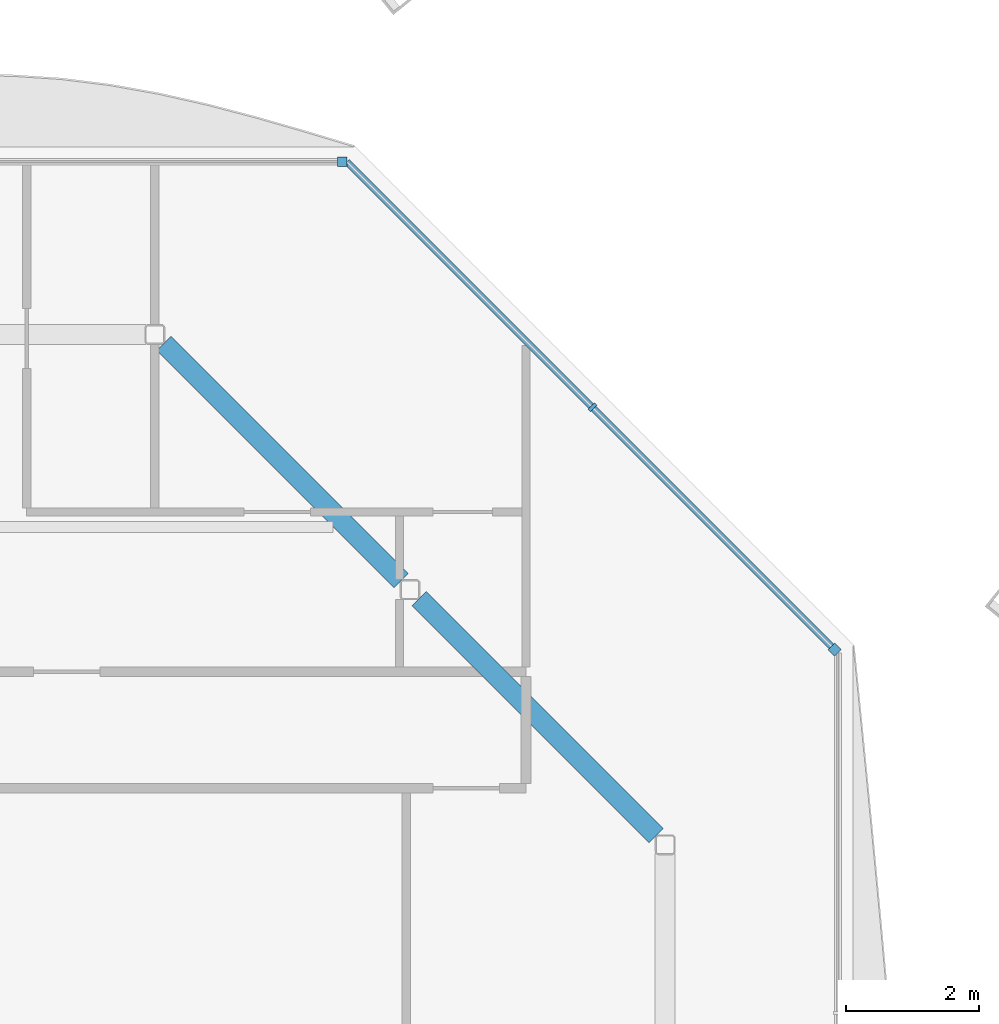
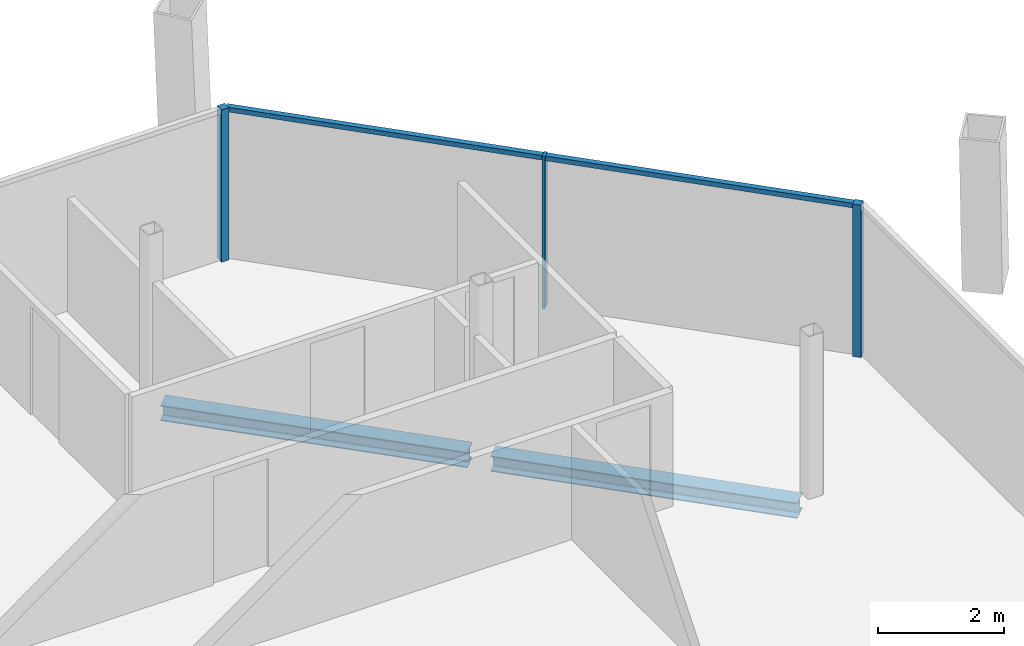
# One storey, part 10 of 18: 5 members, 2 beams, 2 elements without a shape of their own.
"""IFC4 building model written with IfcOpenShell, lengths in metres."""

from ifc_helpers import new_model, si_unit, direction, frame, origin, origin_2d, place, context, subcontext, project, spatial, rectangle, i_section, extrude, material, material_profile, profile_set, type_object, element, aggregate, save


model = new_model("IFC4")

# Units and contexts
model_context = context("Model", 3, precision=1e-05, world=origin(), true_north=direction((0.0, 1.0)))
body_context = subcontext(model_context, "Body", "Model", "MODEL_VIEW")
ifc_project = project(units=[si_unit("LENGTHUNIT", "METRE"), si_unit("AREAUNIT", "SQUARE_METRE"), si_unit("VOLUMEUNIT", "CUBIC_METRE"), si_unit("PLANEANGLEUNIT", "RADIAN"), si_unit("MASSUNIT", "GRAM", prefix="KILO")], contexts=[model_context])

# Site, building, storey
site_placement = place(None, origin())
site = spatial("IfcSite", under=ifc_project, at=site_placement, CompositionType="ELEMENT")
building_placement = place(site_placement, origin())
building = spatial("IfcBuilding", under=site, at=building_placement, Name="Tskaro Facet Tower", CompositionType="ELEMENT")
storey_placement = place(building_placement, frame((0.0, 0.0, 223.5)))
storey = spatial("IfcBuildingStorey", under=building, at=storey_placement, Name="L57", CompositionType="ELEMENT", Elevation=223.5)

# Curtain wall, member
ifc_material_1 = material(Name="Bronze anodised aluminium 6063-T6", Category="aluminium")
curtain_wall_type = type_object("IfcCurtainWallType", Name="Bronze residence curtain wall (FW3)", PredefinedType="NOTDEFINED", material=ifc_material_1)
curtain_wall_1_placement = place(storey_placement, origin())
curtain_wall_1 = element("IfcCurtainWall", 1, at=curtain_wall_1_placement, inside=storey, type_object=curtain_wall_type, Name="FW3 north-east facet L57", PredefinedType="NOTDEFINED")
ifc_material_profile_1 = material_profile(ifc_material_1, rectangle(XDim=0.139892578125, YDim=0.139892578125, at=origin_2d()), Name="Corner post 140x140")
ifc_profile_set_1 = profile_set([ifc_material_profile_1], Name="Bronze anodised aluminium 6063-T6")
member_type_1 = type_object("IfcMemberType", Name="FW3 bronze corner post 140x140", PredefinedType="MULLION", material=ifc_profile_set_1)
member_1_placement = place(storey_placement, frame((15.935546875, 11.658447265625, 0.0), z_axis=(0.0, 0.0, 1.0), x_axis=(-0.707106781187, 0.707106781187, 0.0)))
member_1 = element("IfcMember", 2, at=member_1_placement, type_object=member_type_1, Name="FW3 north-east corner post", PredefinedType="MULLION", context=body_context, shape_type="SweptSolid", body=[
    extrude(rectangle(XDim=0.139892578125, YDim=0.139892578125, at=origin_2d()), origin(), (0.0, 0.0, 1.0), 2.949951171875),
])

curtain_wall_2_placement = place(storey_placement, origin())
curtain_wall_2 = element("IfcCurtainWall", 3, at=curtain_wall_2_placement, inside=storey, type_object=curtain_wall_type, Name="FW3 north facet L57", PredefinedType="NOTDEFINED")
member_2_placement = place(storey_placement, frame((8.5390625, 18.985107421875, 0.0), z_axis=(0.0, 0.0, 1.0), x_axis=(-1.0, 0.0, 0.0)))
member_2 = element("IfcMember", 4, at=member_2_placement, type_object=member_type_1, Name="FW3 north corner post", PredefinedType="MULLION", context=body_context, shape_type="SweptSolid", body=[
    extrude(rectangle(XDim=0.139892578125, YDim=0.139892578125, at=origin_2d()), origin(), (0.0, 0.0, 1.0), 2.949951171875),
])
aggregate(curtain_wall_2, [member_2])

# Member
ifc_material_profile_2 = material_profile(ifc_material_1, rectangle(XDim=0.050048828125, YDim=0.139892578125, at=origin_2d()), Name="Mullion 50x140")
ifc_profile_set_2 = profile_set([ifc_material_profile_2], Name="Bronze anodised aluminium 6063-T6")
member_type_2 = type_object("IfcMemberType", Name="FW3 bronze mullion 50x140", PredefinedType="MULLION", material=ifc_profile_set_2)
member_3_placement = place(storey_placement, frame((12.297119140625, 15.297119140625, 0.0), z_axis=(0.0, 0.0, 1.0), x_axis=(-0.707106781187, 0.707106781187, 0.0)))
member_3 = element("IfcMember", 5, at=member_3_placement, type_object=member_type_2, Name="FW3 north-east mullion 1", PredefinedType="MULLION", context=body_context, shape_type="SweptSolid", body=[
    extrude(rectangle(XDim=0.050048828125, YDim=0.139892578125, at=origin_2d()), origin(), (0.0, 0.0, 1.0), 2.949951171875),
])

ifc_material_profile_3 = material_profile(ifc_material_1, rectangle(XDim=0.10009765625, YDim=0.090087890625, at=origin_2d()), Name="Transom 100x90")
ifc_profile_set_3 = profile_set([ifc_material_profile_3], Name="Bronze anodised aluminium 6063-T6")
member_type_3 = type_object("IfcMemberType", Name="FW3 bronze transom 100x90", PredefinedType="USERDEFINED", material=ifc_profile_set_3)
member_4_placement = place(storey_placement, frame((15.885986328125, 11.7080078125, 2.905029296875), z_axis=(-0.707106781187, 0.707106781187, 0.0), x_axis=(-0.707106781187, -0.707106781187, 0.0)))
member_4 = element("IfcMember", 6, at=member_4_placement, type_object=member_type_3, Name="FW3 north-east transom 1.1", ObjectType="TRANSOM", PredefinedType="USERDEFINED", context=body_context, shape_type="SweptSolid", body=[
    extrude(rectangle(XDim=0.10009765625, YDim=0.090087890625, at=origin_2d()), origin(), (0.0, 0.0, 1.0), 5.050537109375),
])

member_5_placement = place(storey_placement, frame((12.279296875, 15.314697265625, 2.905029296875), z_axis=(-0.707106781187, 0.707106781187, 0.0), x_axis=(-0.707106781187, -0.707106781187, 0.0)))
member_5 = element("IfcMember", 7, at=member_5_placement, type_object=member_type_3, Name="FW3 north-east transom 2.1", ObjectType="TRANSOM", PredefinedType="USERDEFINED", context=body_context, shape_type="SweptSolid", body=[
    extrude(rectangle(XDim=0.10009765625, YDim=0.090087890625, at=origin_2d()), origin(), (0.0, 0.0, 1.0), 5.190673828125),
])

aggregate(curtain_wall_1, [member_1, member_3, member_4, member_5])

# Beams
ifc_material_2 = material(Name="Steel S355J2", Category="steel")
ifc_material_profile_4 = material_profile(ifc_material_2, i_section(OverallWidth=0.300048828125, OverallDepth=0.300048828125, WebThickness=0.010986328125, FlangeThickness=0.01904296875, FilletRadius=0.027099609375, at=origin_2d()), Name="HE 300 B")
ifc_profile_set_4 = profile_set([ifc_material_profile_4], Name="Steel S355J2")
beam_type = type_object("IfcBeamType", Name="HE 300 B ring beam", PredefinedType="BEAM", material=ifc_profile_set_4)
for number, where, z_axis, x_axis, name in (
    (8, (13.255126953125, 8.86083984375, -0.2900390625), (-0.707106781187, 0.707106781187, 0.0), (-0.707106781187, -0.707106781187, 0.0), "HE 300 B EB8-5"),
    (9, (9.422119140625, 12.69384765625, -0.2900390625), (-0.707106781187, 0.707106781187, 0.0), (-0.707106781187, -0.707106781187, 0.0), "HE 300 B EB9-5"),
):
    element("IfcBeam", number, at=place(storey_placement, frame(where, z_axis=z_axis, x_axis=x_axis)), inside=storey, type_object=beam_type, Name=name, PredefinedType="BEAM", context=body_context, shape_type="SweptSolid", body=[
        extrude(i_section(OverallWidth=0.300048828125, OverallDepth=0.300048828125, WebThickness=0.010986328125, FlangeThickness=0.01904296875, FilletRadius=0.027099609375, at=origin_2d()), origin(), (0.0, 0.0, 1.0), 5.036376953125),
    ])

save(model, "model.ifc")
